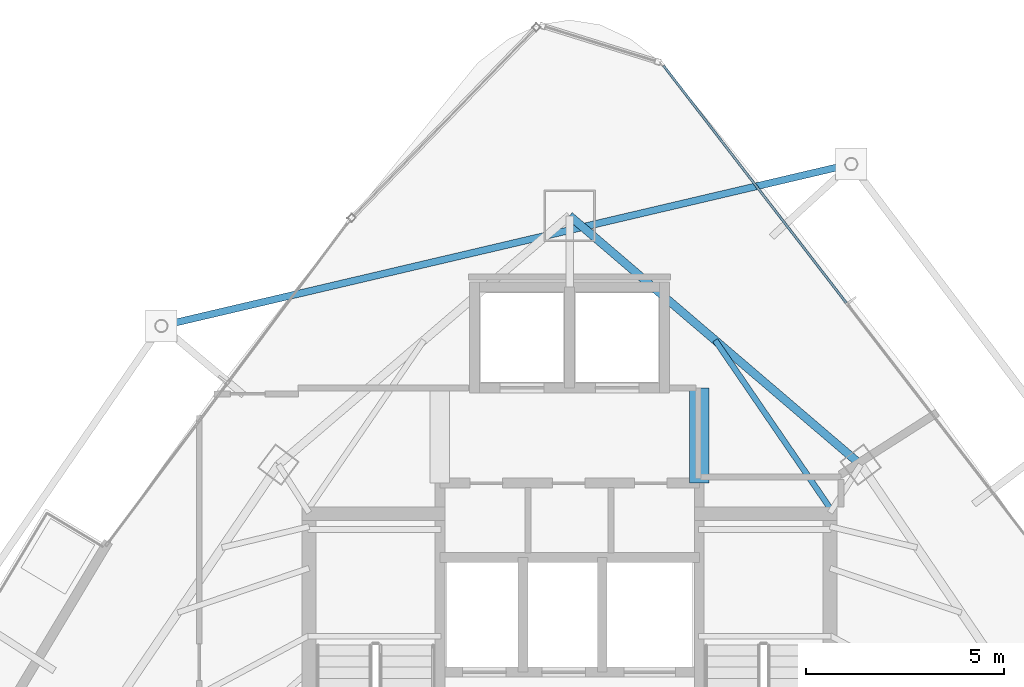
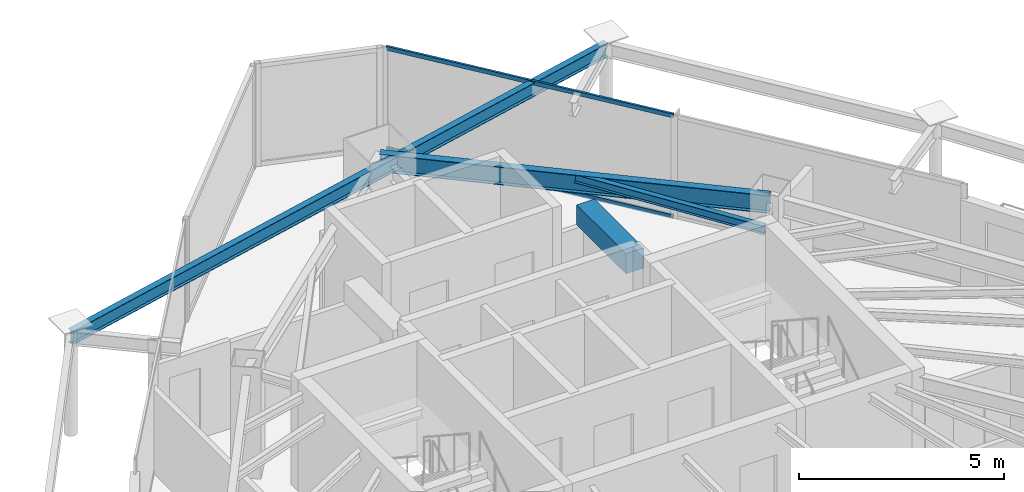
# One storey, part 24 of 33: 4 beams, 2 members, 1 element without a shape of its own.
"""IFC4 building model written with IfcOpenShell, lengths in metres."""

from ifc_helpers import new_model, si_unit, direction, frame, origin, origin_2d, place, context, subcontext, project, spatial, rectangle, hollow_rectangle, i_section, extrude, material, layer, layer_set, material_profile, profile_set, type_object, element, aggregate, save


model = new_model("IFC4")

# Units and contexts
model_context = context("Model", 3, precision=1e-05, world=origin(), true_north=direction((0.0, 1.0)))
body_context = subcontext(model_context, "Body", "Model", "MODEL_VIEW")
ifc_project = project(units=[si_unit("LENGTHUNIT", "METRE"), si_unit("AREAUNIT", "SQUARE_METRE"), si_unit("VOLUMEUNIT", "CUBIC_METRE"), si_unit("PLANEANGLEUNIT", "RADIAN"), si_unit("MASSUNIT", "GRAM", prefix="KILO")], contexts=[model_context])

# Site, building, storey
site_placement = place(None, origin())
site = spatial("IfcSite", under=ifc_project, at=site_placement, CompositionType="ELEMENT")
building_placement = place(site_placement, origin())
building = spatial("IfcBuilding", under=site, at=building_placement, Name="Orvanel Arch Residences", CompositionType="ELEMENT")
storey_placement = place(building_placement, frame((0.0, 0.0, 212.89990234375)))
storey = spatial("IfcBuildingStorey", under=building, at=storey_placement, Name="L60", CompositionType="ELEMENT", Elevation=212.89990234375)

# Beams
ifc_material_1 = material(Name="Structural steel AS/NZS 3679.1 Grade 300 (300 MPa)", Category="steel")
ifc_material_profile_1 = material_profile(ifc_material_1, i_section(OverallWidth=0.14599609375, OverallDepth=0.251953125, WebThickness=0.006103515625, FlangeThickness=0.008544921875, at=origin_2d()), Name="250UB31.4")
ifc_profile_set_1 = profile_set([ifc_material_profile_1], Name="Structural steel AS/NZS 3679.1 Grade 300 (300 MPa)")
beam_type_1 = type_object("IfcBeamType", Name="BJ-250UB", PredefinedType="JOIST", material=ifc_profile_set_1)
beam_1_placement = place(storey_placement, frame((39.574951171875, 34.02001953125, 2.93408203125), z_axis=(-0.564868085352, 0.825181220188, 0.0), x_axis=(-0.825181220188, -0.564868085352, 0.0)))
element("IfcBeam", 1, at=beam_1_placement, inside=storey, type_object=beam_type_1, Name="L60 NNE2 Wing Floor Joist", PredefinedType="JOIST", context=body_context, shape_type="SweptSolid", body=[
    extrude(i_section(OverallWidth=0.14599609375, OverallDepth=0.251953125, WebThickness=0.006103515625, FlangeThickness=0.008544921875, at=origin_2d()), origin(), (0.0, 0.0, 1.0), 5.132080078125),
])
ifc_material_2 = material(Name="Concrete S65 (65 MPa)", Category="concrete")
ifc_material_profile_2 = material_profile(ifc_material_2, rectangle(XDim=0.5, YDim=0.60009765625, at=origin_2d()), Name="RC500x600")
ifc_profile_set_2 = profile_set([ifc_material_profile_2], Name="Concrete S65 (65 MPa)")
beam_type_2 = type_object("IfcBeamType", Name="CB-500x600", PredefinedType="LINTEL", material=ifc_profile_set_2)
beam_2_placement = place(storey_placement, frame((36.27490234375, 34.64990234375, 2.760009765625), z_axis=(0.0, 1.0, 0.0), x_axis=(-1.0, 0.0, 0.0)))
element("IfcBeam", 2, at=beam_2_placement, inside=storey, type_object=beam_type_2, Name="L60 East Core Lobby Coupling Lintel Beam", PredefinedType="LINTEL", context=body_context, shape_type="SweptSolid", body=[
    extrude(rectangle(XDim=0.5, YDim=0.60009765625, at=origin_2d()), origin(), (0.0, 0.0, 1.0), 2.400146484375),
])
ifc_material_profile_3 = material_profile(ifc_material_1, i_section(OverallWidth=0.177978515625, OverallDepth=0.406005859375, WebThickness=0.0078125, FlangeThickness=0.0126953125, at=origin_2d()), Name="410UB59.7")
ifc_profile_set_3 = profile_set([ifc_material_profile_3], Name="Structural steel AS/NZS 3679.1 Grade 300 (300 MPa)")
beam_type_3 = type_object("IfcBeamType", Name="OB-410UB-EXT", PredefinedType="SPANDREL", material=ifc_profile_set_3)
beam_3_placement = place(storey_placement, frame((40.112060546875, 42.7041015625, 2.857177734375), z_axis=(-0.973556400368, -0.228446788778, 0.0), x_axis=(0.228446788778, -0.973556400368, 0.0)))
element("IfcBeam", 3, at=beam_3_placement, inside=storey, type_object=beam_type_3, Name="L60 Outer Perimeter Floor Ring Beam 12", PredefinedType="SPANDREL", context=body_context, shape_type="SweptSolid", body=[
    extrude(i_section(OverallWidth=0.177978515625, OverallDepth=0.406005859375, WebThickness=0.0078125, FlangeThickness=0.0126953125, at=origin_2d()), origin(), (0.0, 0.0, 1.0), 17.89111328125),
])
ifc_material_profile_4 = material_profile(ifc_material_1, i_section(OverallWidth=0.208984375, OverallDepth=0.532958984375, WebThickness=0.01025390625, FlangeThickness=0.015625, at=origin_2d()), Name="530UB92.4")
ifc_profile_set_4 = profile_set([ifc_material_profile_4], Name="Structural steel AS/NZS 3679.1 Grade 300 (300 MPa)")
beam_type_4 = type_object("IfcBeamType", Name="SP-530UB", PredefinedType="SPANDREL", material=ifc_profile_set_4)
beam_4_placement = place(storey_placement, frame((40.35205078125, 35.113037109375, 2.794189453125), z_axis=(-0.760116518398, 0.649786794617, 0.0), x_axis=(-0.649786794617, -0.760116518398, 0.0)))
element("IfcBeam", 4, at=beam_4_placement, inside=storey, type_object=beam_type_4, Name="L60 Perimeter Spandrel Beam 09", PredefinedType="SPANDREL", context=body_context, shape_type="SweptSolid", body=[
    extrude(i_section(OverallWidth=0.208984375, OverallDepth=0.532958984375, WebThickness=0.01025390625, FlangeThickness=0.015625, at=origin_2d()), origin(), (0.0, 0.0, 1.0), 9.67236328125),
])

# Curtain wall, members
ifc_material_3 = material(Name="Bronze-anodised aluminium AA6063-T6", Category="aluminium")
ifc_layer = layer(ifc_material_3, 0.175048828125)
ifc_layer_set = layer_set([ifc_layer], Name="Bronze-anodised aluminium AA6063-T6")
curtain_wall_type = type_object("IfcCurtainWallType", Name="CW4-HI-SYS", PredefinedType="NOTDEFINED", material=ifc_layer_set)
curtain_wall_placement = place(storey_placement, origin())
curtain_wall = element("IfcCurtainWall", 5, at=curtain_wall_placement, inside=storey, type_object=curtain_wall_type, Name="L60 CW4-HI-SYS Unitised Curtain Wall", PredefinedType="NOTDEFINED")
ifc_material_profile_5 = material_profile(ifc_material_3, hollow_rectangle(XDim=0.06005859375, YDim=0.1201171875, WallThickness=0.00341796875, at=origin_2d()), Name="ALU120x60x3.5")
ifc_profile_set_5 = profile_set([ifc_material_profile_5], Name="Bronze-anodised aluminium AA6063-T6")
member_type = type_object("IfcMemberType", Name="TRN-120x60", PredefinedType="USERDEFINED", material=ifc_profile_set_5)
member_1_placement = place(storey_placement, frame((39.987548828125, 39.19775390625, 0.030029296875), z_axis=(-0.610326524777, 0.792149943605, 0.0), x_axis=(-0.792149943605, -0.610326524777, 0.0)))
member_1 = element("IfcMember", 6, at=member_1_placement, type_object=member_type, Name="CW-S4 transom 2.1", ObjectType="TRANSOM", PredefinedType="USERDEFINED", context=body_context, shape_type="SweptSolid", body=[
    extrude(hollow_rectangle(XDim=0.06005859375, YDim=0.1201171875, WallThickness=0.00341796875, at=origin_2d()), origin(), (0.0, 0.0, 1.0), 7.56640625),
])
member_2_placement = place(storey_placement, frame((39.987548828125, 39.19775390625, 3.030029296875), z_axis=(-0.610326524777, 0.792149943605, 0.0), x_axis=(-0.792149943605, -0.610326524777, 0.0)))
member_2 = element("IfcMember", 7, at=member_2_placement, type_object=member_type, Name="CW-S4 transom 2.2", ObjectType="TRANSOM", PredefinedType="USERDEFINED", context=body_context, shape_type="SweptSolid", body=[
    extrude(hollow_rectangle(XDim=0.06005859375, YDim=0.1201171875, WallThickness=0.00341796875, at=origin_2d()), origin(), (0.0, 0.0, 1.0), 7.56640625),
])
aggregate(curtain_wall, [member_1, member_2])

save(model, "model.ifc")
